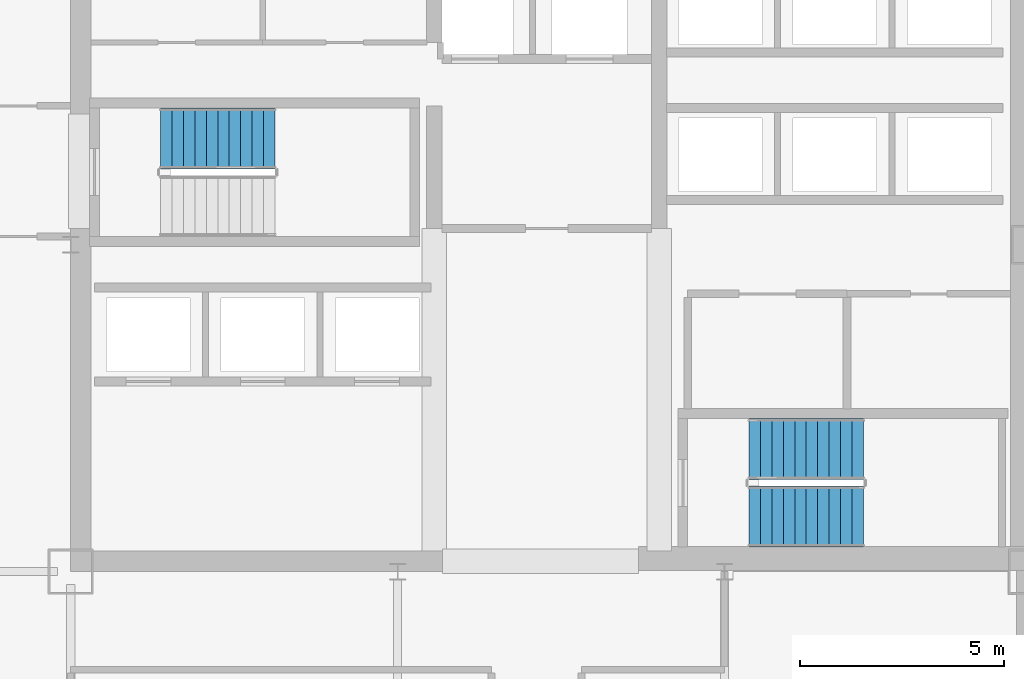
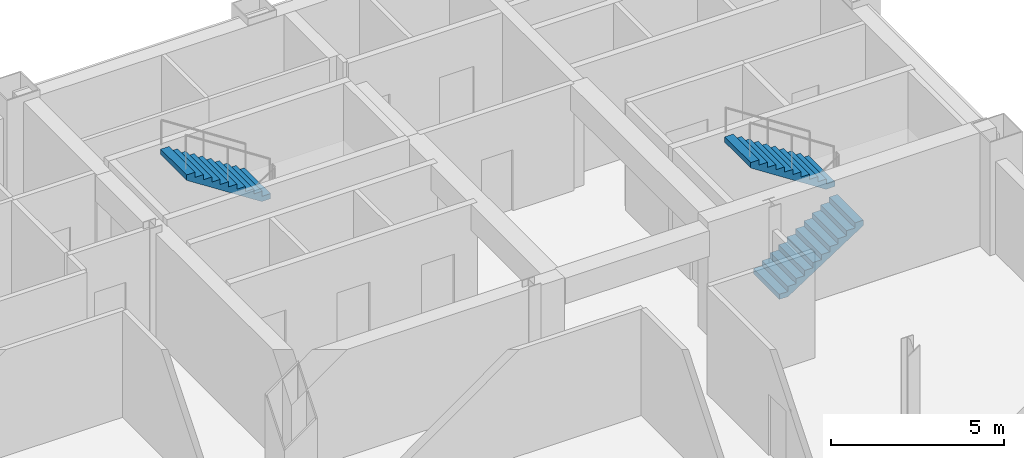
# One storey, part 8 of 10: 3 stair flights, 2 elements without a shape of their own.
"""IFC4 building model written with IfcOpenShell, lengths in metres."""

from ifc_helpers import new_model, si_unit, direction, frame, origin, place, context, subcontext, project, spatial, polyline, outline, extrude, material, type_object, element, aggregate, save


model = new_model("IFC4")

# Units and contexts
model_context = context("Model", 3, precision=1e-05, world=origin(), true_north=direction((0.0, 1.0)))
body_context = subcontext(model_context, "Body", "Model", "MODEL_VIEW")
ifc_project = project(units=[si_unit("LENGTHUNIT", "METRE"), si_unit("AREAUNIT", "SQUARE_METRE"), si_unit("VOLUMEUNIT", "CUBIC_METRE"), si_unit("PLANEANGLEUNIT", "RADIAN"), si_unit("MASSUNIT", "GRAM", prefix="KILO")], contexts=[model_context])

# Site, building, storey
site_placement = place(None, origin())
site = spatial("IfcSite", under=ifc_project, at=site_placement, CompositionType="ELEMENT")
building_placement = place(site_placement, origin())
building = spatial("IfcBuilding", under=site, at=building_placement, Name="Qianrong Seaharbour Tower", CompositionType="ELEMENT")
storey_placement = place(building_placement, frame((0.0, 0.0, 167.0)))
storey = spatial("IfcBuildingStorey", under=building, at=storey_placement, Name="L40", CompositionType="ELEMENT", Elevation=167.0)

# Stair, stair flight
ifc_material = material(Name="Concrete C50/60", Category="concrete")
stair_type = type_object("IfcStairType", Name="STAIR-DOGLEG-1500-R22", PredefinedType="HALF_TURN_STAIR", material=ifc_material)
stair_1_placement = place(storey_placement, origin())
stair_1 = element("IfcStair", 1, at=stair_1_placement, inside=storey, type_object=stair_type, Name="L40 Protected Escape Stair ST-1", PredefinedType="HALF_TURN_STAIR")
stair_flight_type = type_object("IfcStairFlightType", Name="FLIGHT-STR-1500-R22", PredefinedType="STRAIGHT", material=ifc_material)
stair_flight_1_placement = place(storey_placement, frame((45.5, 46.60009765625, 2.0), z_axis=(0.0, 0.0, 1.0), x_axis=(-1.0, 0.0, 0.0)))
stair_flight_1 = element("IfcStairFlight", 2, at=stair_flight_1_placement, type_object=stair_flight_type, Name="ST-1 flight 2", NumberOfRisers=11, NumberOfTreads=10, PredefinedType="STRAIGHT", RiserHeight=0.181818182, TreadLength=0.28, context=body_context, shape_type="SweptSolid", body=[
    extrude(outline(polyline([(0.0, 0.0), (0.0, 0.181884765625), (0.280029296875, 0.181884765625), (0.280029296875, 0.363525390625), (0.56005859375, 0.363525390625), (0.56005859375, 0.54541015625), (0.840087890625, 0.54541015625), (0.840087890625, 0.727294921875), (1.1201171875, 0.727294921875), (1.1201171875, 0.9091796875), (1.39990234375, 0.9091796875), (1.39990234375, 1.0908203125), (1.679931640625, 1.0908203125), (1.679931640625, 1.272705078125), (1.9599609375, 1.272705078125), (1.9599609375, 1.45458984375), (2.239990234375, 1.45458984375), (2.239990234375, 1.636474609375), (2.52001953125, 1.636474609375), (2.52001953125, 1.818115234375), (2.800048828125, 1.818115234375), (2.800048828125, 2.0), (2.800048828125, 1.62744140625), (0.293701171875, 0.0), (0.0, 0.0)])), frame((0.0, 0.75, 0.0), z_axis=(0.0, -1.0, 0.0), x_axis=(1.0, 0.0, 0.0)), (0.0, 0.0, 1.0), 1.5),
])
aggregate(stair_1, [stair_flight_1])

# Stair, stair flights
stair_2_placement = place(storey_placement, origin())
stair_2 = element("IfcStair", 3, at=stair_2_placement, inside=storey, type_object=stair_type, Name="L40 Protected Escape Stair ST-2", PredefinedType="HALF_TURN_STAIR")
stair_flight_2_placement = place(storey_placement, frame((57.10009765625, 37.35009765625, 0.0), z_axis=(0.0, 0.0, 1.0), x_axis=(1.0, 0.0, 0.0)))
stair_flight_2 = element("IfcStairFlight", 4, at=stair_flight_2_placement, type_object=stair_flight_type, Name="ST-2 flight 1", NumberOfRisers=11, NumberOfTreads=10, PredefinedType="STRAIGHT", RiserHeight=0.181818182, TreadLength=0.28, context=body_context, shape_type="SweptSolid", body=[
    extrude(outline(polyline([(0.0, 0.0), (0.0, 0.181884765625), (0.280029296875, 0.181884765625), (0.280029296875, 0.363525390625), (0.56005859375, 0.363525390625), (0.56005859375, 0.54541015625), (0.840087890625, 0.54541015625), (0.840087890625, 0.727294921875), (1.1201171875, 0.727294921875), (1.1201171875, 0.9091796875), (1.39990234375, 0.9091796875), (1.39990234375, 1.0908203125), (1.679931640625, 1.0908203125), (1.679931640625, 1.272705078125), (1.9599609375, 1.272705078125), (1.9599609375, 1.45458984375), (2.239990234375, 1.45458984375), (2.239990234375, 1.636474609375), (2.52001953125, 1.636474609375), (2.52001953125, 1.818115234375), (2.800048828125, 1.818115234375), (2.800048828125, 2.0), (2.800048828125, 1.62744140625), (0.293701171875, 0.0), (0.0, 0.0)])), frame((0.0, 0.75, 0.0), z_axis=(0.0, -1.0, 0.0), x_axis=(1.0, 0.0, 0.0)), (0.0, 0.0, 1.0), 1.5),
])
stair_flight_3_placement = place(storey_placement, frame((59.89990234375, 39.0, 2.0), z_axis=(0.0, 0.0, 1.0), x_axis=(-1.0, 0.0, 0.0)))
stair_flight_3 = element("IfcStairFlight", 5, at=stair_flight_3_placement, type_object=stair_flight_type, Name="ST-2 flight 2", NumberOfRisers=11, NumberOfTreads=10, PredefinedType="STRAIGHT", RiserHeight=0.181818182, TreadLength=0.28, context=body_context, shape_type="SweptSolid", body=[
    extrude(outline(polyline([(0.0, 0.0), (0.0, 0.181884765625), (0.280029296875, 0.181884765625), (0.280029296875, 0.363525390625), (0.56005859375, 0.363525390625), (0.56005859375, 0.54541015625), (0.840087890625, 0.54541015625), (0.840087890625, 0.727294921875), (1.1201171875, 0.727294921875), (1.1201171875, 0.9091796875), (1.39990234375, 0.9091796875), (1.39990234375, 1.0908203125), (1.679931640625, 1.0908203125), (1.679931640625, 1.272705078125), (1.9599609375, 1.272705078125), (1.9599609375, 1.45458984375), (2.239990234375, 1.45458984375), (2.239990234375, 1.636474609375), (2.52001953125, 1.636474609375), (2.52001953125, 1.818115234375), (2.800048828125, 1.818115234375), (2.800048828125, 2.0), (2.800048828125, 1.62744140625), (0.293701171875, 0.0), (0.0, 0.0)])), frame((0.0, 0.75, 0.0), z_axis=(0.0, -1.0, 0.0), x_axis=(1.0, 0.0, 0.0)), (0.0, 0.0, 1.0), 1.5),
])
aggregate(stair_2, [stair_flight_2, stair_flight_3])

save(model, "model.ifc")
